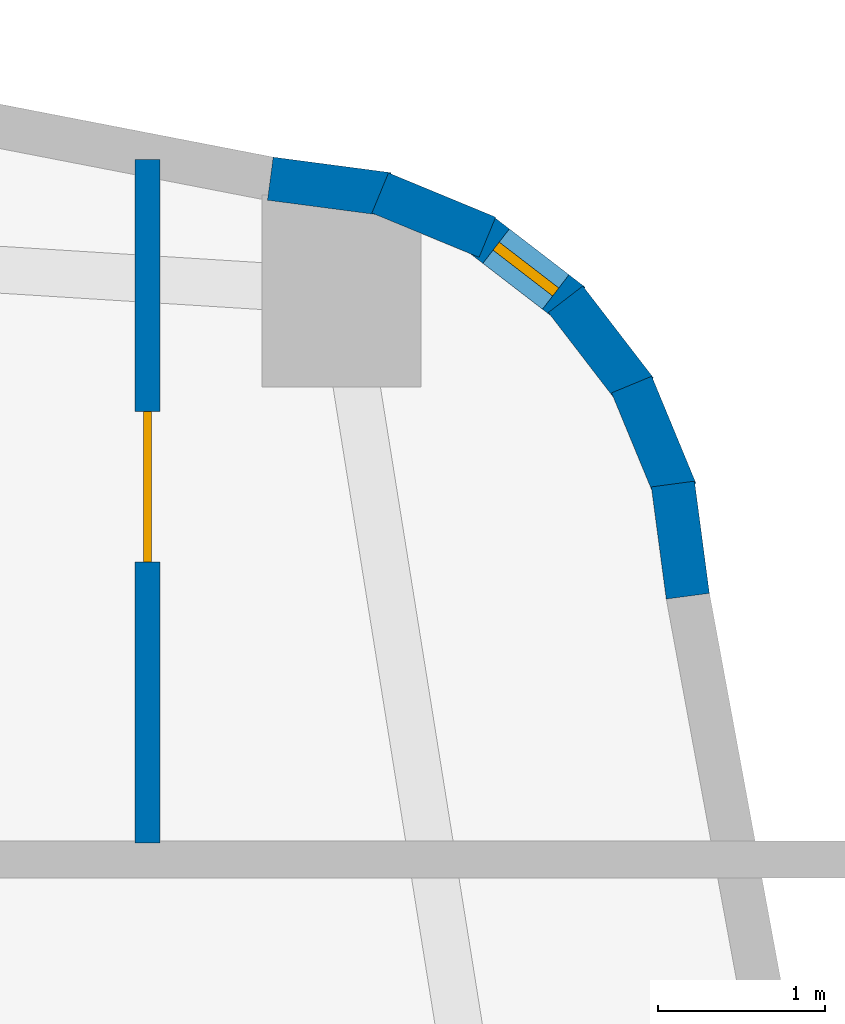
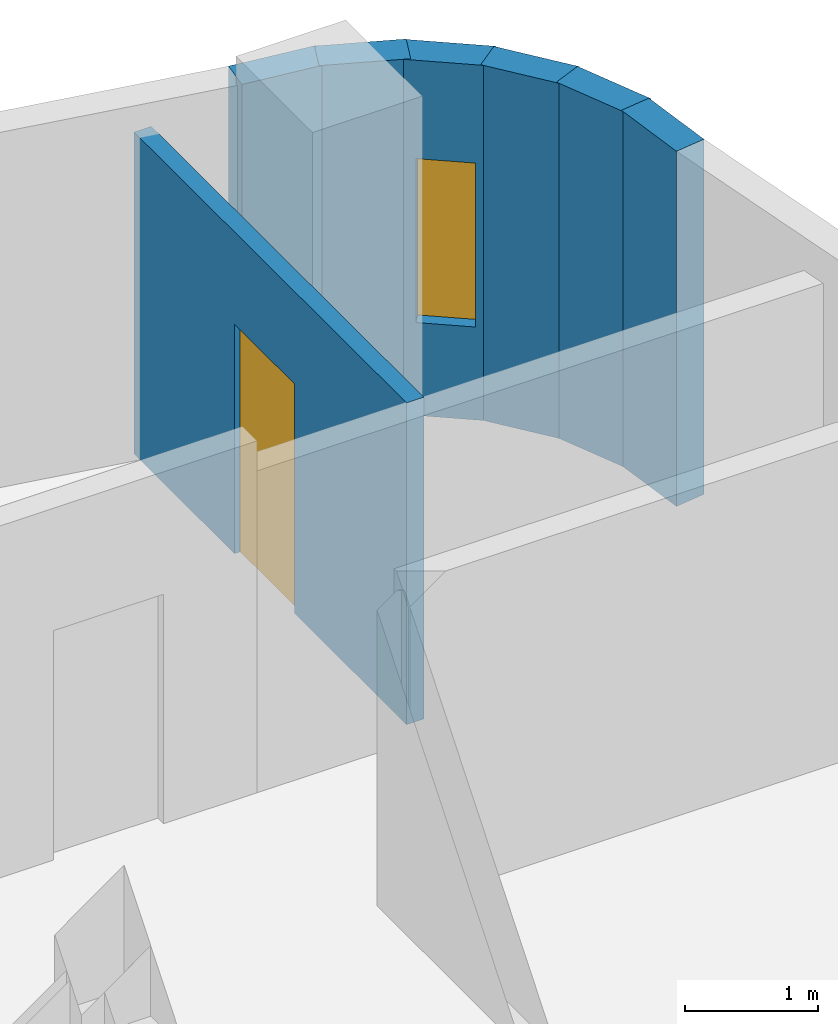
# One storey, part 20 of 26: 7 walls, 1 door, 1 window, 2 openings.
"""IFC4 building model written with IfcOpenShell, lengths in metres."""

from ifc_helpers import new_model, si_unit, derived_unit, direction, frame, frame_2d, origin, place, context, subcontext, project, spatial, rectangle, extrude, material, layer, layer_set, type_object, element, fill, save


model = new_model("IFC4")

# Units and contexts
model_context = context("Model", 3, precision=1e-05, world=origin(), true_north=direction((0.0, 1.0)))
body_context = subcontext(model_context, "Body", "Model", "MODEL_VIEW")
ifc_project = project(units=[si_unit("LENGTHUNIT", "METRE"), si_unit("AREAUNIT", "SQUARE_METRE"), si_unit("VOLUMEUNIT", "CUBIC_METRE"), si_unit("PLANEANGLEUNIT", "RADIAN"), si_unit("MASSUNIT", "GRAM", prefix="KILO"), derived_unit("THERMALTRANSMITTANCEUNIT", [(si_unit("POWERUNIT", "WATT"), 1), (si_unit("LENGTHUNIT", "METRE"), -2), (si_unit("THERMODYNAMICTEMPERATUREUNIT", "KELVIN"), -1)])], contexts=[model_context])

# Site, building, storey
site_placement = place(None, origin())
site = spatial("IfcSite", under=ifc_project, at=site_placement, CompositionType="ELEMENT")
building_placement = place(site_placement, origin())
building = spatial("IfcBuilding", under=site, at=building_placement, Name="Kivonza Crest Hotel", CompositionType="ELEMENT")
storey_placement = place(building_placement, frame((0.0, 0.0, 95.0)))
storey = spatial("IfcBuildingStorey", under=building, at=storey_placement, Name="L25", CompositionType="ELEMENT", Elevation=95.0)

# Walls
ifc_material_1 = material(Name="Precast concrete C40/50", Category="concrete")
ifc_layer_1 = layer(ifc_material_1, 0.260009765625)
ifc_layer_set_1 = layer_set([ifc_layer_1], Name="Precast concrete C40/50")
wall_type_1 = type_object("IfcWallType", Name="WL-EXT-260", PredefinedType="STANDARD", material=ifc_layer_set_1)
wall_1_placement = place(storey_placement, frame((93.072021484375, 39.175048828125, 0.0), z_axis=(0.0, 0.0, 1.0), x_axis=(-0.131667498923, 0.991293937098, 0.0)))
element("IfcWall", 1, at=wall_1_placement, inside=storey, type_object=wall_type_1, Name="L25 T2 exterior insulated wall 19", PredefinedType="STANDARD", context=body_context, shape_type="SweptSolid", body=[
    extrude(rectangle(XDim=0.6767578125, YDim=0.260009765625, at=frame_2d((0.33837890625, 0.0))), origin(), (0.0, 0.0, 1.0), 3.25),
])
wall_2_placement = place(storey_placement, frame((93.0009765625, 39.800048828125, 0.0), z_axis=(0.0, 0.0, 1.0), x_axis=(-0.381988976935, 0.924166879681, 0.0)))
element("IfcWall", 2, at=wall_2_placement, inside=storey, type_object=wall_type_1, Name="L25 T2 exterior insulated wall 20", PredefinedType="STANDARD", context=body_context, shape_type="SweptSolid", body=[
    extrude(rectangle(XDim=0.693359375, YDim=0.260009765625, at=frame_2d((0.3466796875, 0.0))), origin(), (0.0, 0.0, 1.0), 3.25),
])
wall_3_placement = place(storey_placement, frame((92.763916015625, 40.40087890625, 0.0), z_axis=(0.0, 0.0, 1.0), x_axis=(-0.609472651958, 0.792807092876, 0.0)))
element("IfcWall", 3, at=wall_3_placement, inside=storey, type_object=wall_type_1, Name="L25 T2 exterior insulated wall 21", PredefinedType="STANDARD", context=body_context, shape_type="SweptSolid", body=[
    extrude(rectangle(XDim=0.69384765625, YDim=0.260009765625, at=frame_2d((0.346923828125, 0.0))), origin(), (0.0, 0.0, 1.0), 3.25),
])

# Wall, opening, window
wall_4_placement = place(storey_placement, frame((92.37890625, 40.919921875, 0.0), z_axis=(0.0, 0.0, 1.0), x_axis=(-0.792506234191, 0.609863811657, 0.0)))
wall_4 = element("IfcWall", 4, at=wall_4_placement, inside=storey, type_object=wall_type_1, Name="L25 T2 exterior insulated wall 22", PredefinedType="STANDARD", context=body_context, shape_type="SweptSolid", body=[
    extrude(rectangle(XDim=0.69384765625, YDim=0.260009765625, at=frame_2d((0.346923828125, 0.0))), origin(), (0.0, 0.0, 1.0), 3.25),
])
opening_1_placement = place(wall_4_placement, frame((0.1220703125, 0.0, 0.85009765625)))
opening_1 = element("IfcOpeningElement", 5, at=opening_1_placement, cuts=wall_4, Name="Opening WN-11", PredefinedType="OPENING", context=body_context, shape_type="SweptSolid", body=[
    extrude(rectangle(XDim=0.449951171875, YDim=1.5, at=frame_2d((0.22509765625, 0.75))), frame((0.0, 0.14013671875, 0.0), z_axis=(0.0, -1.0, 0.0), x_axis=(1.0, 0.0, 0.0)), (0.0, 0.0, 1.0), 0.280029296875),
])
ifc_material_2 = material(Name="Thermally broken bronze aluminium and low-E double glazing", Category="aluminium")
window_type = type_object("IfcWindowType", Name="WN-045x150", PartitioningType="SINGLE_PANEL", PredefinedType="WINDOW", material=ifc_material_2)
window_placement = place(opening_1_placement, origin())
window = element("IfcWindow", 6, at=window_placement, inside=storey, type_object=window_type, Name="L25 corner vision window 4", OverallHeight=1.5, OverallWidth=0.449951171875, PartitioningType="SINGLE_PANEL", PredefinedType="WINDOW", context=body_context, shape_type="SweptSolid", body=[
    extrude(rectangle(XDim=0.449951171875, YDim=1.5, at=frame_2d((0.22509765625, 0.75))), frame((0.0, 0.030029296875, 0.0), z_axis=(0.0, -1.0, 0.0), x_axis=(1.0, 0.0, 0.0)), (0.0, 0.0, 1.0), 0.06005859375),
])
fill(opening_1, window)

# Walls
wall_5_placement = place(storey_placement, frame((91.873046875, 41.322021484375, 0.0), z_axis=(0.0, 0.0, 1.0), x_axis=(-0.92421822618, 0.381864727877, 0.0)))
element("IfcWall", 7, at=wall_5_placement, inside=storey, type_object=wall_type_1, Name="L25 T2 exterior insulated wall 23", PredefinedType="STANDARD", context=body_context, shape_type="SweptSolid", body=[
    extrude(rectangle(XDim=0.693603515625, YDim=0.260009765625, at=frame_2d((0.3466796875, 0.0))), origin(), (0.0, 0.0, 1.0), 3.25),
])
wall_6_placement = place(storey_placement, frame((91.281005859375, 41.5791015625, 0.0), z_axis=(0.0, 0.0, 1.0), x_axis=(-0.991433279471, 0.130614135366, 0.0)))
element("IfcWall", 8, at=wall_6_placement, inside=storey, type_object=wall_type_1, Name="L25 T2 exterior insulated wall 24", PredefinedType="STANDARD", context=body_context, shape_type="SweptSolid", body=[
    extrude(rectangle(XDim=0.712158203125, YDim=0.260009765625, at=frame_2d((0.35595703125, 0.0))), origin(), (0.0, 0.0, 1.0), 3.25),
])

# Wall, opening, door
ifc_material_3 = material(Name="Twin-stud acoustic gypsum board partition", Category="gypsum")
ifc_layer_2 = layer(ifc_material_3, 0.14990234375)
ifc_layer_set_2 = layer_set([ifc_layer_2], Name="Twin-stud acoustic gypsum board partition")
wall_type_2 = type_object("IfcWallType", Name="WL-PART-150", PredefinedType="PARTITIONING", material=ifc_layer_set_2)
wall_7_placement = place(storey_placement, frame((89.840087890625, 37.699951171875, 0.0), z_axis=(0.0, 0.0, 1.0), x_axis=(0.0, 1.0, 0.0)))
wall_7 = element("IfcWall", 9, at=wall_7_placement, inside=storey, type_object=wall_type_2, Name="L25 interior partition WP-L25-A02-BDW1", PredefinedType="PARTITIONING", context=body_context, shape_type="SweptSolid", body=[
    extrude(rectangle(XDim=4.0859375, YDim=0.14990234375, at=frame_2d((2.04296875, 0.0))), origin(), (0.0, 0.0, 1.0), 2.945068359375),
])
opening_2_placement = place(wall_7_placement, frame((1.679931640625, 0.0, 0.0)))
opening_2 = element("IfcOpeningElement", 10, at=opening_2_placement, cuts=wall_7, Name="Opening DI-90", PredefinedType="OPENING", context=body_context, shape_type="SweptSolid", body=[
    extrude(rectangle(XDim=0.89990234375, YDim=2.10009765625, at=frame_2d((0.449951171875, 1.050048828125))), frame((0.0, 0.0849609375, 0.0), z_axis=(0.0, -1.0, 0.0), x_axis=(1.0, 0.0, 0.0)), (0.0, 0.0, 1.0), 0.169921875),
])
ifc_material_4 = material(Name="Hardwood timber oak", Category="wood")
door_type = type_object("IfcDoorType", Name="DR-INT-900", OperationType="NOTDEFINED", PredefinedType="DOOR", material=ifc_material_4)
door_placement = place(opening_2_placement, origin())
door = element("IfcDoor", 11, at=door_placement, inside=storey, type_object=door_type, Name="L25 A02 bedroom 1 door", OperationType="SINGLE_SWING_LEFT", OverallHeight=2.10009765625, OverallWidth=0.89990234375, PredefinedType="DOOR", context=body_context, shape_type="SweptSolid", body=[
    extrude(rectangle(XDim=0.89990234375, YDim=2.10009765625, at=frame_2d((0.449951171875, 1.050048828125))), frame((0.0, 0.02490234375, 0.0), z_axis=(0.0, -1.0, 0.0), x_axis=(1.0, 0.0, 0.0)), (0.0, 0.0, 1.0), 0.050048828125),
])
fill(opening_2, door)

save(model, "model.ifc")
